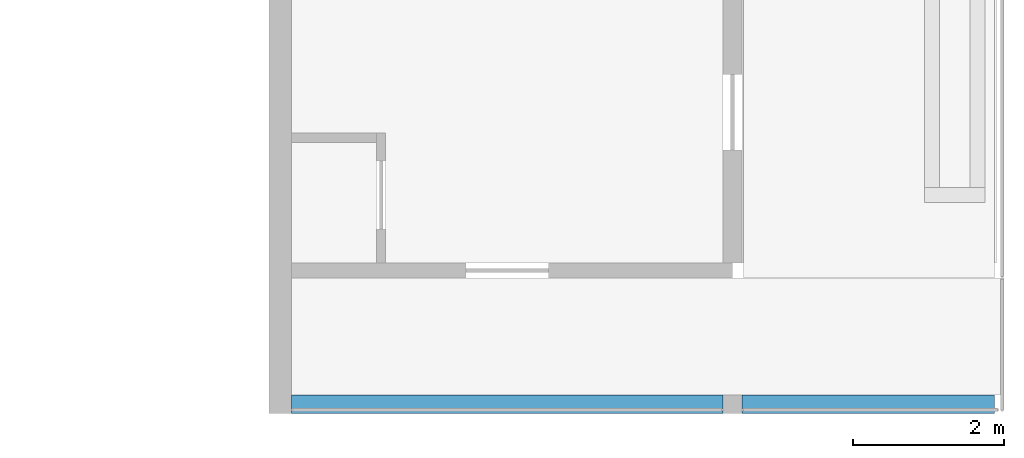
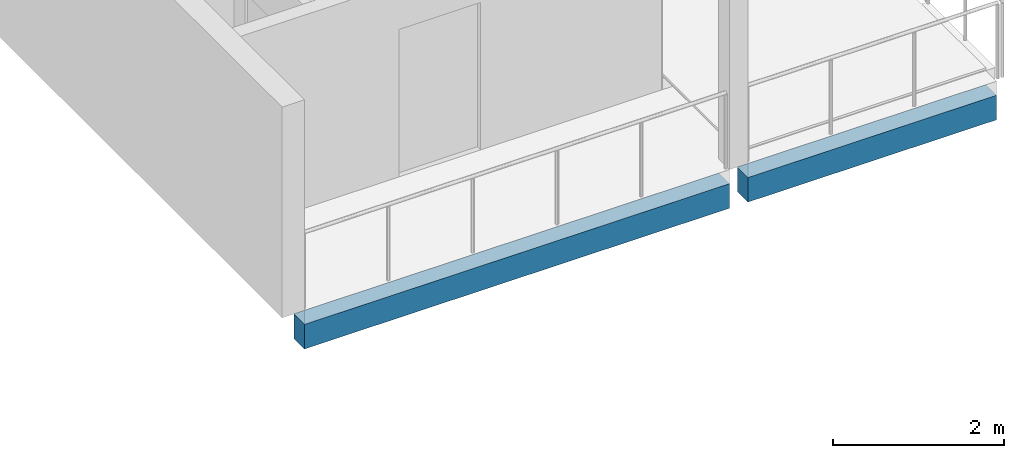
# One storey, part 13 of 33: 2 beams.
"""IFC4 building model written with IfcOpenShell, lengths in metres."""

from ifc_helpers import new_model, si_unit, direction, frame, origin, origin_2d, place, context, subcontext, project, spatial, rectangle, extrude, material, material_profile, profile_set, type_object, element, save


model = new_model("IFC4")

# Units and contexts
model_context = context("Model", 3, precision=1e-05, world=origin(), true_north=direction((0.0, 1.0)))
body_context = subcontext(model_context, "Body", "Model", "MODEL_VIEW")
ifc_project = project(units=[si_unit("LENGTHUNIT", "METRE"), si_unit("AREAUNIT", "SQUARE_METRE"), si_unit("VOLUMEUNIT", "CUBIC_METRE"), si_unit("PLANEANGLEUNIT", "RADIAN"), si_unit("MASSUNIT", "GRAM", prefix="KILO")], contexts=[model_context])

# Site, building, storey
site_placement = place(None, origin())
site = spatial("IfcSite", under=ifc_project, at=site_placement, CompositionType="ELEMENT")
building_placement = place(site_placement, origin())
building = spatial("IfcBuilding", under=site, at=building_placement, Name="Ridgestep Commons", CompositionType="ELEMENT")
storey_placement = place(building_placement, frame((0.0, 0.0, 42.0)))
storey = spatial("IfcBuildingStorey", under=building, at=storey_placement, Name="L14", CompositionType="ELEMENT", Elevation=42.0)

# Beams
ifc_material = material(Name="Precast concrete C40/50", Category="concrete")
ifc_material_profile = material_profile(ifc_material, rectangle(XDim=0.25, YDim=0.35009765625, at=origin_2d()), Name="PC 250x350")
ifc_profile_set = profile_set([ifc_material_profile], Name="Precast concrete C40/50")
beam_type = type_object("IfcBeamType", Name="Loggia edge beam 250 x 350", PredefinedType="SPANDREL", material=ifc_profile_set)
beam_1_placement = place(storey_placement, frame((230.949951171875, 11.875, -0.375), z_axis=(1.0, 0.0, 0.0), x_axis=(0.0, 1.0, 0.0)))
element("IfcBeam", 1, at=beam_1_placement, inside=storey, type_object=beam_type, Name="Loggia edge beam D6C L14", PredefinedType="SPANDREL", context=body_context, shape_type="SweptSolid", body=[
    extrude(rectangle(XDim=0.25, YDim=0.35009765625, at=origin_2d()), origin(), (0.0, 0.0, 1.0), 5.72509765625),
])
beam_2_placement = place(storey_placement, frame((236.925048828125, 11.875, -0.375), z_axis=(1.0, 0.0, 0.0), x_axis=(0.0, 1.0, 0.0)))
element("IfcBeam", 2, at=beam_2_placement, inside=storey, type_object=beam_type, Name="Loggia edge beam D6T3 L14", PredefinedType="SPANDREL", context=body_context, shape_type="SweptSolid", body=[
    extrude(rectangle(XDim=0.25, YDim=0.35009765625, at=origin_2d()), origin(), (0.0, 0.0, 1.0), 3.349853515625),
])

save(model, "model.ifc")
